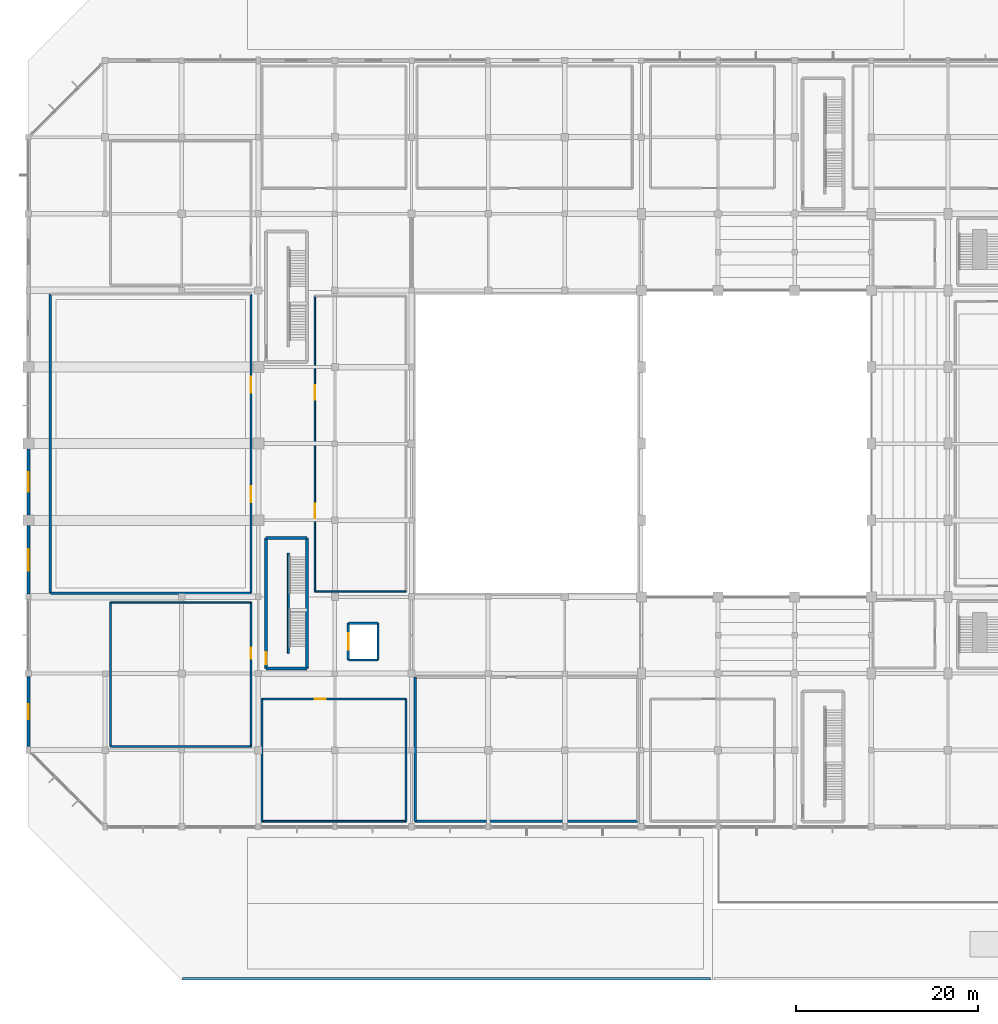
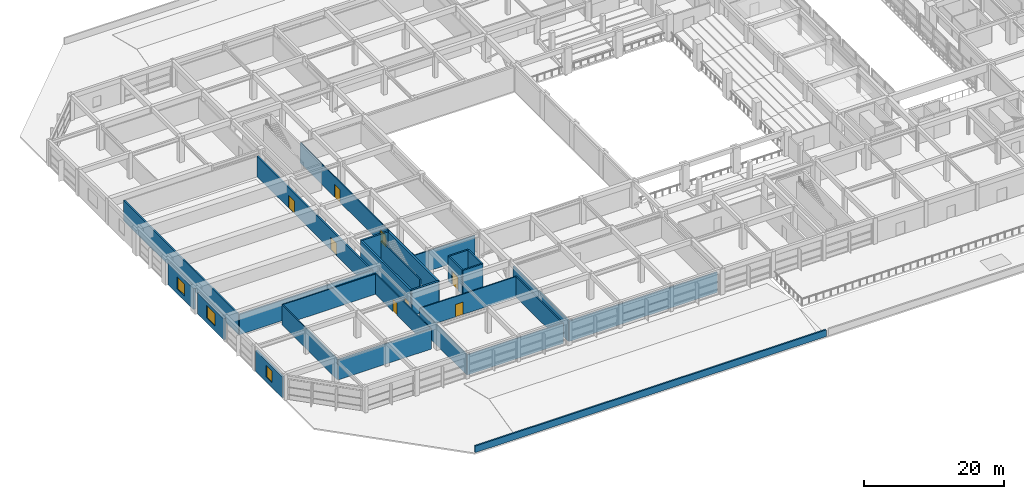
# One storey, part 43 of 60: 28 walls, 8 doors, 3 windows, 11 openings.
"""IFC4 building model written with IfcOpenShell, lengths in metres."""

from ifc_helpers import new_model, si_unit, direction, frame, frame_2d, origin, place, context, subcontext, project, spatial, rectangle, extrude, material, layer, layer_set, type_object, element, fill, save


model = new_model("IFC4")

# Units and contexts
model_context = context("Model", 3, precision=1e-05, world=origin(), true_north=direction((0.0, 1.0)))
body_context = subcontext(model_context, "Body", "Model", "MODEL_VIEW")
ifc_project = project(units=[si_unit("LENGTHUNIT", "METRE"), si_unit("AREAUNIT", "SQUARE_METRE"), si_unit("VOLUMEUNIT", "CUBIC_METRE"), si_unit("PLANEANGLEUNIT", "RADIAN"), si_unit("MASSUNIT", "GRAM", prefix="KILO")], contexts=[model_context])

# Site, building, storey
site_placement = place(None, origin())
site = spatial("IfcSite", under=ifc_project, at=site_placement, CompositionType="ELEMENT")
building_placement = place(site_placement, origin())
building = spatial("IfcBuilding", under=site, at=building_placement, Name="Xuanlan Plaza Opera House", CompositionType="ELEMENT")
storey_placement = place(building_placement, frame((0.0, 0.0, 9.89990234375)))
storey = spatial("IfcBuildingStorey", under=building, at=storey_placement, Name="L02", CompositionType="ELEMENT", Elevation=9.89990234375)

# Wall, opening, window
ifc_material_1 = material(Name="Anodised Aluminium 6063-T6 and Rockwool Cladding", Category="aluminium")
ifc_layer_1 = layer(ifc_material_1, 0.340087890625)
ifc_layer_set_1 = layer_set([ifc_layer_1], Name="Anodised Aluminium 6063-T6 and Rockwool Cladding")
wall_type_1 = type_object("IfcWallType", Name="ENV-WL-EW-02", PredefinedType="STANDARD", material=ifc_layer_set_1)
wall_1_placement = place(storey_placement, frame((0.0, 58.199951171875, 0.0), z_axis=(0.0, 0.0, 1.0), x_axis=(0.0, -1.0, 0.0)))
wall_1 = element("IfcWall", 1, at=wall_1_placement, inside=storey, type_object=wall_type_1, Name="Exterior Wall L02-052", PredefinedType="STANDARD", context=body_context, shape_type="SweptSolid", body=[
    extrude(rectangle(XDim=7.199951171875, YDim=0.340087890625, at=frame_2d((3.60009765625, 0.0))), origin(), (0.0, 0.0, 1.0), 3.68017578125),
])
opening_1_placement = place(wall_1_placement, frame((2.550048828125, 0.0, 0.85009765625)))
opening_1 = element("IfcOpeningElement", 2, at=opening_1_placement, cuts=wall_1, Name="Opening WN-02", PredefinedType="OPENING", context=body_context, shape_type="SweptSolid", body=[
    extrude(rectangle(XDim=2.10009765625, YDim=2.10009765625, at=frame_2d((1.050048828125, 1.050048828125))), frame((0.0, 0.179931640625, 0.0), z_axis=(0.0, -1.0, 0.0), x_axis=(1.0, 0.0, 0.0)), (0.0, 0.0, 1.0), 0.360107421875),
])
ifc_material_2 = material(Name="Anodised Aluminium 6063-T6 and Low-E Glass", Category="aluminium")
window_type_1 = type_object("IfcWindowType", Name="ENV-WN-WN-02", PartitioningType="DOUBLE_PANEL_VERTICAL", PredefinedType="WINDOW", material=ifc_material_2)
window_1_placement = place(opening_1_placement, origin())
window_1 = element("IfcWindow", 3, at=window_1_placement, inside=storey, type_object=window_type_1, Name="Facade Window L02-052", OverallHeight=2.10009765625, OverallWidth=2.10009765625, PartitioningType="DOUBLE_PANEL_VERTICAL", PredefinedType="WINDOW", context=body_context, shape_type="SweptSolid", body=[
    extrude(rectangle(XDim=2.10009765625, YDim=2.10009765625, at=frame_2d((1.050048828125, 1.050048828125))), frame((0.0, 0.030029296875, 0.0), z_axis=(0.0, -1.0, 0.0), x_axis=(1.0, 0.0, 0.0)), (0.0, 0.0, 1.0), 0.06005859375),
])
fill(opening_1, window_1)

ifc_layer_2 = layer(ifc_material_1, 0.320068359375)
ifc_layer_set_2 = layer_set([ifc_layer_2], Name="Anodised Aluminium 6063-T6 and Rockwool Cladding")
wall_type_2 = type_object("IfcWallType", Name="ENV-WL-EW-03", PredefinedType="STANDARD", material=ifc_layer_set_2)
wall_2_placement = place(storey_placement, frame((0.0, 49.800048828125, 0.0), z_axis=(0.0, 0.0, 1.0), x_axis=(0.0, -1.0, 0.0)))
wall_2 = element("IfcWall", 4, at=wall_2_placement, inside=storey, type_object=wall_type_2, Name="Exterior Wall L02-053", PredefinedType="STANDARD", context=body_context, shape_type="SweptSolid", body=[
    extrude(rectangle(XDim=7.5, YDim=0.320068359375, at=frame_2d((3.75, 0.0))), origin(), (0.0, 0.0, 1.0), 3.68017578125),
])
opening_2_placement = place(wall_2_placement, frame((2.550048828125, 0.0, 0.85009765625)))
opening_2 = element("IfcOpeningElement", 5, at=opening_2_placement, cuts=wall_2, Name="Opening WN-03", PredefinedType="OPENING", context=body_context, shape_type="SweptSolid", body=[
    extrude(rectangle(XDim=2.39990234375, YDim=2.199951171875, at=frame_2d((1.199951171875, 1.10009765625))), frame((0.0, 0.169921875, 0.0), z_axis=(0.0, -1.0, 0.0), x_axis=(1.0, 0.0, 0.0)), (0.0, 0.0, 1.0), 0.340087890625),
])
window_type_2 = type_object("IfcWindowType", Name="ENV-WN-WN-03", PartitioningType="TRIPLE_PANEL_VERTICAL", PredefinedType="WINDOW", material=ifc_material_2)
window_2_placement = place(opening_2_placement, origin())
window_2 = element("IfcWindow", 6, at=window_2_placement, inside=storey, type_object=window_type_2, Name="Facade Window L02-053", OverallHeight=2.199951171875, OverallWidth=2.39990234375, PartitioningType="TRIPLE_PANEL_VERTICAL", PredefinedType="WINDOW", context=body_context, shape_type="SweptSolid", body=[
    extrude(rectangle(XDim=2.39990234375, YDim=2.199951171875, at=frame_2d((1.199951171875, 1.10009765625))), frame((0.0, 0.030029296875, 0.0), z_axis=(0.0, -1.0, 0.0), x_axis=(1.0, 0.0, 0.0)), (0.0, 0.0, 1.0), 0.06005859375),
])
fill(opening_2, window_2)

ifc_layer_3 = layer(ifc_material_1, 0.2900390625)
ifc_layer_set_3 = layer_set([ifc_layer_3], Name="Anodised Aluminium 6063-T6 and Rockwool Cladding")
wall_type_3 = type_object("IfcWallType", Name="ENV-WL-EW-05", PredefinedType="STANDARD", material=ifc_layer_set_3)
wall_3_placement = place(storey_placement, frame((0.0, 33.25, 0.0), z_axis=(0.0, 0.0, 1.0), x_axis=(0.0, -1.0, 0.0)))
wall_3 = element("IfcWall", 7, at=wall_3_placement, inside=storey, type_object=wall_type_3, Name="Exterior Wall L02-055", PredefinedType="STANDARD", context=body_context, shape_type="SweptSolid", body=[
    extrude(rectangle(XDim=7.675048828125, YDim=0.2900390625, at=frame_2d((3.83740234375, 0.0))), origin(), (0.0, 0.0, 1.0), 3.68017578125),
])
opening_3_placement = place(wall_3_placement, frame((3.0380859375, 0.0, 0.85009765625)))
opening_3 = element("IfcOpeningElement", 8, at=opening_3_placement, cuts=wall_3, Name="Opening WN-05", PredefinedType="OPENING", context=body_context, shape_type="SweptSolid", body=[
    extrude(rectangle(XDim=1.60009765625, YDim=2.0, at=frame_2d((0.800048828125, 1.0))), frame((0.0, 0.155029296875, 0.0), z_axis=(0.0, -1.0, 0.0), x_axis=(1.0, 0.0, 0.0)), (0.0, 0.0, 1.0), 0.31005859375),
])
window_type_3 = type_object("IfcWindowType", Name="ENV-WN-WN-05", PartitioningType="DOUBLE_PANEL_VERTICAL", PredefinedType="WINDOW", material=ifc_material_2)
window_3_placement = place(opening_3_placement, origin())
window_3 = element("IfcWindow", 9, at=window_3_placement, inside=storey, type_object=window_type_3, Name="Facade Window L02-055", OverallHeight=2.0, OverallWidth=1.60009765625, PartitioningType="DOUBLE_PANEL_VERTICAL", PredefinedType="WINDOW", context=body_context, shape_type="SweptSolid", body=[
    extrude(rectangle(XDim=1.60009765625, YDim=2.0, at=frame_2d((0.800048828125, 1.0))), frame((0.0, 0.030029296875, 0.0), z_axis=(0.0, -1.0, 0.0), x_axis=(1.0, 0.0, 0.0)), (0.0, 0.0, 1.0), 0.06005859375),
])
fill(opening_3, window_3)

# Walls
ifc_material_3 = material(Name="Concrete C40", Category="concrete")
ifc_layer_4 = layer(ifc_material_3, 0.25)
ifc_layer_set_4 = layer_set([ifc_layer_4], Name="Concrete C40")
wall_type_4 = type_object("IfcWallType", Name="ENV-WL-PRP-01", PredefinedType="PARAPET", material=ifc_layer_set_4)
wall_4_placement = place(storey_placement, frame((16.89990234375, 0.14990234375, 0.0), z_axis=(0.0, 0.0, 1.0), x_axis=(1.0, 0.0, 0.0)))
element("IfcWall", 10, at=wall_4_placement, inside=storey, type_object=wall_type_4, Name="Plaza Arcade Roof Parapet Wall 01", PredefinedType="PARAPET", context=body_context, shape_type="SweptSolid", body=[
    extrude(rectangle(XDim=57.900146484375, YDim=0.25, at=frame_2d((28.9501953125, 0.0))), origin(), (0.0, 0.0, 1.0), 1.150146484375),
])
ifc_material_4 = material(Name="Gypsum Board and Galvanised Steel Studs", Category="gypsum")
ifc_layer_5 = layer(ifc_material_4, 0.239990234375)
ifc_layer_set_5 = layer_set([ifc_layer_5], Name="Gypsum Board and Galvanised Steel Studs")
wall_type_5 = type_object("IfcWallType", Name="INT-WL-PW-01", PredefinedType="PARTITIONING", material=ifc_layer_set_5)
wall_5_placement = place(storey_placement, frame((2.39990234375, 42.39990234375, 0.0), z_axis=(0.0, 0.0, 1.0), x_axis=(1.0, 0.0, 0.0)))
element("IfcWall", 11, at=wall_5_placement, inside=storey, type_object=wall_type_5, Name="Ballet Rehearsal Stage Wall South", PredefinedType="PARTITIONING", context=body_context, shape_type="SweptSolid", body=[
    extrude(rectangle(XDim=22.0, YDim=0.239990234375, at=frame_2d((11.0, 0.0))), origin(), (0.0, 0.0, 1.0), 3.5400390625),
])
wall_6_placement = place(storey_placement, frame((2.39990234375, 42.39990234375, 0.0), z_axis=(0.0, 0.0, 1.0), x_axis=(0.0, 1.0, 0.0)))
element("IfcWall", 12, at=wall_6_placement, inside=storey, type_object=wall_type_5, Name="Ballet Rehearsal Stage Wall West", PredefinedType="PARTITIONING", context=body_context, shape_type="SweptSolid", body=[
    extrude(rectangle(XDim=32.800048828125, YDim=0.239990234375, at=frame_2d((16.39990234375, 0.0))), origin(), (0.0, 0.0, 1.0), 3.5400390625),
])

# Wall, openings, doors
wall_7_placement = place(storey_placement, frame((24.39990234375, 42.39990234375, 0.0), z_axis=(0.0, 0.0, 1.0), x_axis=(0.0, 1.0, 0.0)))
wall_7 = element("IfcWall", 13, at=wall_7_placement, inside=storey, type_object=wall_type_5, Name="Ballet Rehearsal Stage Wall East", PredefinedType="PARTITIONING", context=body_context, shape_type="SweptSolid", body=[
    extrude(rectangle(XDim=32.800048828125, YDim=0.239990234375, at=frame_2d((16.39990234375, 0.0))), origin(), (0.0, 0.0, 1.0), 3.5400390625),
])
opening_4_placement = place(wall_7_placement, frame((10.0, 0.0, 0.0)))
opening_4 = element("IfcOpeningElement", 14, at=opening_4_placement, cuts=wall_7, Name="Opening FD-03", PredefinedType="OPENING", context=body_context, shape_type="SweptSolid", body=[
    extrude(rectangle(XDim=1.75, YDim=2.199951171875, at=frame_2d((0.875, 1.10009765625))), frame((0.0, 0.1298828125, 0.0), z_axis=(0.0, -1.0, 0.0), x_axis=(1.0, 0.0, 0.0)), (0.0, 0.0, 1.0), 0.260009765625),
])
opening_5_placement = place(wall_7_placement, frame((22.0, 0.0, 0.0)))
opening_5 = element("IfcOpeningElement", 15, at=opening_5_placement, cuts=wall_7, Name="Opening FD-03", PredefinedType="OPENING", context=body_context, shape_type="SweptSolid", body=[
    extrude(rectangle(XDim=1.75, YDim=2.199951171875, at=frame_2d((0.875, 1.10009765625))), frame((0.0, 0.1298828125, 0.0), z_axis=(0.0, -1.0, 0.0), x_axis=(1.0, 0.0, 0.0)), (0.0, 0.0, 1.0), 0.260009765625),
])
ifc_material_5 = material(Name="Galvanised Steel Q235B", Category="steel")
door_type_1 = type_object("IfcDoorType", Name="INT-DR-FD-03", OperationType="DOUBLE_DOOR_SINGLE_SWING", PredefinedType="DOOR", material=ifc_material_5)
door_1_placement = place(opening_4_placement, origin())
door_1 = element("IfcDoor", 16, at=door_1_placement, inside=storey, type_object=door_type_1, Name="Ballet Rehearsal Stage Door 1", OperationType="DOUBLE_DOOR_SINGLE_SWING", OverallHeight=2.199951171875, OverallWidth=1.75, PredefinedType="DOOR", context=body_context, shape_type="SweptSolid", body=[
    extrude(rectangle(XDim=1.75, YDim=2.199951171875, at=frame_2d((0.875, 1.10009765625))), frame((0.0, 0.02490234375, 0.0), z_axis=(0.0, -1.0, 0.0), x_axis=(1.0, 0.0, 0.0)), (0.0, 0.0, 1.0), 0.050048828125),
])
fill(opening_4, door_1)
door_2_placement = place(opening_5_placement, origin())
door_2 = element("IfcDoor", 17, at=door_2_placement, inside=storey, type_object=door_type_1, Name="Ballet Rehearsal Stage Door 2", OperationType="DOUBLE_DOOR_SINGLE_SWING", OverallHeight=2.199951171875, OverallWidth=1.75, PredefinedType="DOOR", context=body_context, shape_type="SweptSolid", body=[
    extrude(rectangle(XDim=1.75, YDim=2.199951171875, at=frame_2d((0.875, 1.10009765625))), frame((0.0, 0.02490234375, 0.0), z_axis=(0.0, -1.0, 0.0), x_axis=(1.0, 0.0, 0.0)), (0.0, 0.0, 1.0), 0.050048828125),
])
fill(opening_5, door_2)

# Walls
wall_8_placement = place(storey_placement, frame((42.39990234375, 17.39990234375, 0.0), z_axis=(0.0, 0.0, 1.0), x_axis=(1.0, 0.0, 0.0)))
element("IfcWall", 18, at=wall_8_placement, inside=storey, type_object=wall_type_5, Name="Broadcast and Acoustic Recording Studio Wall South", PredefinedType="PARTITIONING", context=body_context, shape_type="SweptSolid", body=[
    extrude(rectangle(XDim=24.400146484375, YDim=0.239990234375, at=frame_2d((12.2001953125, 0.0))), origin(), (0.0, 0.0, 1.0), 3.5400390625),
])
wall_9_placement = place(storey_placement, frame((42.39990234375, 17.39990234375, 0.0), z_axis=(0.0, 0.0, 1.0), x_axis=(0.0, 1.0, 0.0)))
element("IfcWall", 19, at=wall_9_placement, inside=storey, type_object=wall_type_5, Name="Broadcast and Acoustic Recording Studio Wall West", PredefinedType="PARTITIONING", context=body_context, shape_type="SweptSolid", body=[
    extrude(rectangle(XDim=15.800048828125, YDim=0.239990234375, at=frame_2d((7.89990234375, 0.0))), origin(), (0.0, 0.0, 1.0), 3.5400390625),
])
ifc_layer_6 = layer(ifc_material_4, 0.179931640625)
ifc_layer_set_6 = layer_set([ifc_layer_6], Name="Gypsum Board and Galvanised Steel Studs")
wall_type_6 = type_object("IfcWallType", Name="INT-WL-PW-02", PredefinedType="PARTITIONING", material=ifc_layer_set_6)
for number, where, z_axis, x_axis, name in (
    (20, (9.0, 25.60009765625, 0.0), (0.0, 0.0, 1.0), (1.0, 0.0, 0.0), "Ballet Wardrobe Workshop Wall South"),
    (21, (9.0, 41.39990234375, 0.0), (0.0, 0.0, 1.0), (1.0, 0.0, 0.0), "Ballet Wardrobe Workshop Wall North"),
):
    element("IfcWall", number, at=place(storey_placement, frame(where, z_axis=z_axis, x_axis=x_axis)), inside=storey, type_object=wall_type_6, Name=name, PredefinedType="PARTITIONING", context=body_context, shape_type="SweptSolid", body=[
        extrude(rectangle(XDim=15.39990234375, YDim=0.179931640625, at=frame_2d((7.699951171875, 0.0))), origin(), (0.0, 0.0, 1.0), 3.5400390625),
    ])
wall_10_placement = place(storey_placement, frame((9.0, 25.60009765625, 0.0), z_axis=(0.0, 0.0, 1.0), x_axis=(0.0, 1.0, 0.0)))
element("IfcWall", 22, at=wall_10_placement, inside=storey, type_object=wall_type_6, Name="Ballet Wardrobe Workshop Wall West", PredefinedType="PARTITIONING", context=body_context, shape_type="SweptSolid", body=[
    extrude(rectangle(XDim=15.7998046875, YDim=0.179931640625, at=frame_2d((7.89990234375, 0.0))), origin(), (0.0, 0.0, 1.0), 3.5400390625),
])

# Wall, opening, door
wall_11_placement = place(storey_placement, frame((24.39990234375, 25.60009765625, 0.0), z_axis=(0.0, 0.0, 1.0), x_axis=(0.0, 1.0, 0.0)))
wall_11 = element("IfcWall", 23, at=wall_11_placement, inside=storey, type_object=wall_type_6, Name="Ballet Wardrobe Workshop Wall East", PredefinedType="PARTITIONING", context=body_context, shape_type="SweptSolid", body=[
    extrude(rectangle(XDim=15.7998046875, YDim=0.179931640625, at=frame_2d((7.89990234375, 0.0))), origin(), (0.0, 0.0, 1.0), 3.5400390625),
])
opening_6_placement = place(wall_11_placement, frame((9.60009765625, 0.0, 0.0)))
opening_6 = element("IfcOpeningElement", 24, at=opening_6_placement, cuts=wall_11, Name="Opening D-05", PredefinedType="OPENING", context=body_context, shape_type="SweptSolid", body=[
    extrude(rectangle(XDim=1.219970703125, YDim=2.14990234375, at=frame_2d((0.60986328125, 1.074951171875))), frame((0.0, 0.099853515625, 0.0), z_axis=(0.0, -1.0, 0.0), x_axis=(1.0, 0.0, 0.0)), (0.0, 0.0, 1.0), 0.199951171875),
])
ifc_material_6 = material(Name="Walnut Hardwood Timber", Category="wood")
door_type_2 = type_object("IfcDoorType", Name="INT-DR-D-05", OperationType="NOTDEFINED", PredefinedType="DOOR", material=ifc_material_6)
door_3_placement = place(opening_6_placement, origin())
door_3 = element("IfcDoor", 25, at=door_3_placement, inside=storey, type_object=door_type_2, Name="Ballet Wardrobe Workshop Door 1", OperationType="SINGLE_SWING_LEFT", OverallHeight=2.14990234375, OverallWidth=1.219970703125, PredefinedType="DOOR", context=body_context, shape_type="SweptSolid", body=[
    extrude(rectangle(XDim=1.219970703125, YDim=2.14990234375, at=frame_2d((0.60986328125, 1.074951171875))), frame((0.0, 0.02490234375, 0.0), z_axis=(0.0, -1.0, 0.0), x_axis=(1.0, 0.0, 0.0)), (0.0, 0.0, 1.0), 0.050048828125),
])
fill(opening_6, door_3)

# Wall
wall_12_placement = place(storey_placement, frame((25.60009765625, 17.39990234375, 0.0), z_axis=(0.0, 0.0, 1.0), x_axis=(1.0, 0.0, 0.0)))
element("IfcWall", 26, at=wall_12_placement, inside=storey, type_object=wall_type_6, Name="Percussion Maintenance Studio Wall South", PredefinedType="PARTITIONING", context=body_context, shape_type="SweptSolid", body=[
    extrude(rectangle(XDim=15.7998046875, YDim=0.179931640625, at=frame_2d((7.89990234375, 0.0))), origin(), (0.0, 0.0, 1.0), 3.5400390625),
])

# Wall, opening, door
wall_13_placement = place(storey_placement, frame((25.60009765625, 30.800048828125, 0.0), z_axis=(0.0, 0.0, 1.0), x_axis=(1.0, 0.0, 0.0)))
wall_13 = element("IfcWall", 27, at=wall_13_placement, inside=storey, type_object=wall_type_6, Name="Percussion Maintenance Studio Wall North", PredefinedType="PARTITIONING", context=body_context, shape_type="SweptSolid", body=[
    extrude(rectangle(XDim=15.7998046875, YDim=0.179931640625, at=frame_2d((7.89990234375, 0.0))), origin(), (0.0, 0.0, 1.0), 3.5400390625),
])
opening_7_placement = place(wall_13_placement, frame((5.800048828125, 0.0, 0.0)))
opening_7 = element("IfcOpeningElement", 28, at=opening_7_placement, cuts=wall_13, Name="Opening D-05", PredefinedType="OPENING", context=body_context, shape_type="SweptSolid", body=[
    extrude(rectangle(XDim=1.219970703125, YDim=2.14990234375, at=frame_2d((0.60986328125, 1.074951171875))), frame((0.0, 0.099853515625, 0.0), z_axis=(0.0, -1.0, 0.0), x_axis=(1.0, 0.0, 0.0)), (0.0, 0.0, 1.0), 0.199951171875),
])
door_4_placement = place(opening_7_placement, origin())
door_4 = element("IfcDoor", 29, at=door_4_placement, inside=storey, type_object=door_type_2, Name="Percussion Maintenance Studio Door 1", OperationType="SINGLE_SWING_RIGHT", OverallHeight=2.14990234375, OverallWidth=1.219970703125, PredefinedType="DOOR", context=body_context, shape_type="SweptSolid", body=[
    extrude(rectangle(XDim=1.219970703125, YDim=2.14990234375, at=frame_2d((0.60986328125, 1.074951171875))), frame((0.0, 0.02490234375, 0.0), z_axis=(0.0, -1.0, 0.0), x_axis=(1.0, 0.0, 0.0)), (0.0, 0.0, 1.0), 0.050048828125),
])
fill(opening_7, door_4)

# Walls
for number, where, z_axis, x_axis, name in (
    (30, (25.60009765625, 17.39990234375, 0.0), (0.0, 0.0, 1.0), (0.0, 1.0, 0.0), "Percussion Maintenance Studio Wall West"),
    (31, (41.39990234375, 17.39990234375, 0.0), (0.0, 0.0, 1.0), (0.0, 1.0, 0.0), "Percussion Maintenance Studio Wall East"),
):
    element("IfcWall", number, at=place(storey_placement, frame(where, z_axis=z_axis, x_axis=x_axis)), inside=storey, type_object=wall_type_6, Name=name, PredefinedType="PARTITIONING", context=body_context, shape_type="SweptSolid", body=[
        extrude(rectangle(XDim=13.400146484375, YDim=0.179931640625, at=frame_2d((6.7001953125, 0.0))), origin(), (0.0, 0.0, 1.0), 3.5400390625),
    ])
ifc_layer_7 = layer(ifc_material_4, 0.159912109375)
ifc_layer_set_7 = layer_set([ifc_layer_7], Name="Gypsum Board and Galvanised Steel Studs")
wall_type_7 = type_object("IfcWallType", Name="INT-WL-PW-05", PredefinedType="PARTITIONING", material=ifc_layer_set_7)
wall_14_placement = place(storey_placement, frame((31.39990234375, 42.60009765625, 0.0), z_axis=(0.0, 0.0, 1.0), x_axis=(1.0, 0.0, 0.0)))
element("IfcWall", 32, at=wall_14_placement, inside=storey, type_object=wall_type_7, Name="Stage Scenery Cloth Store Wall South", PredefinedType="PARTITIONING", context=body_context, shape_type="SweptSolid", body=[
    extrude(rectangle(XDim=10.0, YDim=0.159912109375, at=frame_2d((5.0, 0.0))), origin(), (0.0, 0.0, 1.0), 3.5400390625),
])

# Wall, openings, doors
wall_15_placement = place(storey_placement, frame((31.39990234375, 42.60009765625, 0.0), z_axis=(0.0, 0.0, 1.0), x_axis=(0.0, 1.0, 0.0)))
wall_15 = element("IfcWall", 33, at=wall_15_placement, inside=storey, type_object=wall_type_7, Name="Stage Scenery Cloth Store Wall West", PredefinedType="PARTITIONING", context=body_context, shape_type="SweptSolid", body=[
    extrude(rectangle(XDim=32.39990234375, YDim=0.159912109375, at=frame_2d((16.199951171875, 0.0))), origin(), (0.0, 0.0, 1.0), 3.5400390625),
])
opening_8_placement = place(wall_15_placement, frame((8.0, 0.0, 0.0)))
opening_8 = element("IfcOpeningElement", 34, at=opening_8_placement, cuts=wall_15, Name="Opening D-08", PredefinedType="OPENING", context=body_context, shape_type="SweptSolid", body=[
    extrude(rectangle(XDim=1.6201171875, YDim=2.219970703125, at=frame_2d((0.81005859375, 1.10986328125))), frame((0.0, 0.08984375, 0.0), z_axis=(0.0, -1.0, 0.0), x_axis=(1.0, 0.0, 0.0)), (0.0, 0.0, 1.0), 0.179931640625),
])
opening_9_placement = place(wall_15_placement, frame((21.0, 0.0, 0.0)))
opening_9 = element("IfcOpeningElement", 35, at=opening_9_placement, cuts=wall_15, Name="Opening D-08", PredefinedType="OPENING", context=body_context, shape_type="SweptSolid", body=[
    extrude(rectangle(XDim=1.6201171875, YDim=2.219970703125, at=frame_2d((0.81005859375, 1.10986328125))), frame((0.0, 0.08984375, 0.0), z_axis=(0.0, -1.0, 0.0), x_axis=(1.0, 0.0, 0.0)), (0.0, 0.0, 1.0), 0.179931640625),
])
door_type_3 = type_object("IfcDoorType", Name="INT-DR-D-08", OperationType="DOUBLE_DOOR_SINGLE_SWING", PredefinedType="DOOR", material=ifc_material_6)
door_5_placement = place(opening_8_placement, origin())
door_5 = element("IfcDoor", 36, at=door_5_placement, inside=storey, type_object=door_type_3, Name="Stage Scenery Cloth Store Door 1", OperationType="DOUBLE_DOOR_SINGLE_SWING", OverallHeight=2.219970703125, OverallWidth=1.6201171875, PredefinedType="DOOR", context=body_context, shape_type="SweptSolid", body=[
    extrude(rectangle(XDim=1.6201171875, YDim=2.219970703125, at=frame_2d((0.81005859375, 1.10986328125))), frame((0.0, 0.02490234375, 0.0), z_axis=(0.0, -1.0, 0.0), x_axis=(1.0, 0.0, 0.0)), (0.0, 0.0, 1.0), 0.050048828125),
])
fill(opening_8, door_5)
door_6_placement = place(opening_9_placement, origin())
door_6 = element("IfcDoor", 37, at=door_6_placement, inside=storey, type_object=door_type_3, Name="Stage Scenery Cloth Store Door 2", OperationType="DOUBLE_DOOR_SINGLE_SWING", OverallHeight=2.219970703125, OverallWidth=1.6201171875, PredefinedType="DOOR", context=body_context, shape_type="SweptSolid", body=[
    extrude(rectangle(XDim=1.6201171875, YDim=2.219970703125, at=frame_2d((0.81005859375, 1.10986328125))), frame((0.0, 0.02490234375, 0.0), z_axis=(0.0, -1.0, 0.0), x_axis=(1.0, 0.0, 0.0)), (0.0, 0.0, 1.0), 0.050048828125),
])
fill(opening_9, door_6)

# Walls
ifc_layer_8 = layer(ifc_material_3, 0.25)
ifc_layer_set_8 = layer_set([ifc_layer_8], Name="Concrete C40")
wall_type_8 = type_object("IfcWallType", Name="INT-WL-SW-LF1", PredefinedType="SHEAR", material=ifc_layer_set_8)
for number, where, z_axis, x_axis, name in (
    (38, (35.074951171875, 35.074951171875, 0.0), (0.0, 0.0, 1.0), (1.0, 0.0, 0.0), "Lift Shaft Wall LF-SC1 L02 South"),
    (39, (35.074951171875, 39.125, 0.0), (0.0, 0.0, 1.0), (1.0, 0.0, 0.0), "Lift Shaft Wall LF-SC1 L02 North"),
):
    element("IfcWall", number, at=place(storey_placement, frame(where, z_axis=z_axis, x_axis=x_axis)), inside=storey, type_object=wall_type_8, Name=name, PredefinedType="SHEAR", context=body_context, shape_type="SweptSolid", body=[
        extrude(rectangle(XDim=3.25, YDim=0.25, at=frame_2d((1.625, 0.0))), origin(), (0.0, 0.0, 1.0), 4.239990234375),
    ])

# Wall, opening, door
wall_16_placement = place(storey_placement, frame((35.074951171875, 35.074951171875, 0.0), z_axis=(0.0, 0.0, 1.0), x_axis=(0.0, 1.0, 0.0)))
wall_16 = element("IfcWall", 40, at=wall_16_placement, inside=storey, type_object=wall_type_8, Name="Lift Shaft Wall LF-SC1 L02 West", PredefinedType="SHEAR", context=body_context, shape_type="SweptSolid", body=[
    extrude(rectangle(XDim=4.050048828125, YDim=0.25, at=frame_2d((2.02490234375, 0.0))), origin(), (0.0, 0.0, 1.0), 4.239990234375),
])
opening_10_placement = place(wall_16_placement, frame((1.125, 0.0, 0.0)))
opening_10 = element("IfcOpeningElement", 41, at=opening_10_placement, cuts=wall_16, Name="Opening LD-SC1-L02", PredefinedType="OPENING", context=body_context, shape_type="SweptSolid", body=[
    extrude(rectangle(XDim=1.800048828125, YDim=2.300048828125, at=frame_2d((0.89990234375, 1.14990234375))), frame((0.0, 0.135009765625, 0.0), z_axis=(0.0, -1.0, 0.0), x_axis=(1.0, 0.0, 0.0)), (0.0, 0.0, 1.0), 0.27001953125),
])
ifc_material_7 = material(Name="Stainless Steel S30408", Category="steel")
door_type_4 = type_object("IfcDoorType", Name="INT-DR-LD-03", OperationType="DOUBLE_DOOR_SLIDING", PredefinedType="DOOR", material=ifc_material_7)
door_7_placement = place(opening_10_placement, origin())
door_7 = element("IfcDoor", 42, at=door_7_placement, inside=storey, type_object=door_type_4, Name="Lift Sliding Landing Door LF-SC1 L02", OperationType="DOUBLE_DOOR_SLIDING", OverallHeight=2.300048828125, OverallWidth=1.800048828125, PredefinedType="DOOR", context=body_context, shape_type="SweptSolid", body=[
    extrude(rectangle(XDim=1.800048828125, YDim=2.300048828125, at=frame_2d((0.89990234375, 1.14990234375))), frame((0.0, 0.02490234375, 0.0), z_axis=(0.0, -1.0, 0.0), x_axis=(1.0, 0.0, 0.0)), (0.0, 0.0, 1.0), 0.050048828125),
])
fill(opening_10, door_7)

# Walls
wall_17_placement = place(storey_placement, frame((38.324951171875, 35.074951171875, 0.0), z_axis=(0.0, 0.0, 1.0), x_axis=(0.0, 1.0, 0.0)))
element("IfcWall", 43, at=wall_17_placement, inside=storey, type_object=wall_type_8, Name="Lift Shaft Wall LF-SC1 L02 East", PredefinedType="SHEAR", context=body_context, shape_type="SweptSolid", body=[
    extrude(rectangle(XDim=4.050048828125, YDim=0.25, at=frame_2d((2.02490234375, 0.0))), origin(), (0.0, 0.0, 1.0), 4.239990234375),
])
ifc_layer_9 = layer(ifc_material_3, 0.199951171875)
ifc_layer_set_9 = layer_set([ifc_layer_9], Name="Concrete C40")
wall_type_9 = type_object("IfcWallType", Name="INT-WL-SW-SPN", PredefinedType="SHEAR", material=ifc_layer_set_9)
wall_18_placement = place(storey_placement, frame((28.5, 35.800048828125, 0.0), z_axis=(0.0, 0.0, 1.0), x_axis=(0.0, 1.0, 0.0)))
element("IfcWall", 44, at=wall_18_placement, inside=storey, type_object=wall_type_9, Name="Stair Structural Spine Wall ST-P1 L02", PredefinedType="SHEAR", context=body_context, shape_type="SweptSolid", body=[
    extrude(rectangle(XDim=11.0, YDim=0.199951171875, at=frame_2d((5.5, 0.0))), origin(), (0.0, 0.0, 1.0), 4.5),
])
ifc_layer_10 = layer(ifc_material_3, 0.300048828125)
ifc_layer_set_10 = layer_set([ifc_layer_10], Name="Concrete C40")
wall_type_10 = type_object("IfcWallType", Name="INT-WL-SW-ST1", PredefinedType="SHEAR", material=ifc_layer_set_10)
for number, where, z_axis, x_axis, name in (
    (45, (26.050048828125, 34.14990234375, 0.0), (0.0, 0.0, 1.0), (1.0, 0.0, 0.0), "Stair Core Wall ST-P1 L02 South"),
    (46, (26.050048828125, 48.449951171875, 0.0), (0.0, 0.0, 1.0), (1.0, 0.0, 0.0), "Stair Core Wall ST-P1 L02 North"),
):
    element("IfcWall", number, at=place(storey_placement, frame(where, z_axis=z_axis, x_axis=x_axis)), inside=storey, type_object=wall_type_10, Name=name, PredefinedType="SHEAR", context=body_context, shape_type="SweptSolid", body=[
        extrude(rectangle(XDim=4.5, YDim=0.300048828125, at=frame_2d((2.25, 0.0))), origin(), (0.0, 0.0, 1.0), 4.5),
    ])

# Wall, opening, door
wall_19_placement = place(storey_placement, frame((26.050048828125, 34.14990234375, 0.0), z_axis=(0.0, 0.0, 1.0), x_axis=(0.0, 1.0, 0.0)))
wall_19 = element("IfcWall", 47, at=wall_19_placement, inside=storey, type_object=wall_type_10, Name="Stair Core Wall ST-P1 L02 West", PredefinedType="SHEAR", context=body_context, shape_type="SweptSolid", body=[
    extrude(rectangle(XDim=14.300048828125, YDim=0.300048828125, at=frame_2d((7.14990234375, 0.0))), origin(), (0.0, 0.0, 1.0), 4.5),
])
opening_11_placement = place(wall_19_placement, frame((0.449951171875, 0.0, 0.0)))
opening_11 = element("IfcOpeningElement", 48, at=opening_11_placement, cuts=wall_19, Name="Opening FD-ST2", PredefinedType="OPENING", context=body_context, shape_type="SweptSolid", body=[
    extrude(rectangle(XDim=1.35009765625, YDim=2.14990234375, at=frame_2d((0.675048828125, 1.074951171875))), frame((0.0, 0.159912109375, 0.0), z_axis=(0.0, -1.0, 0.0), x_axis=(1.0, 0.0, 0.0)), (0.0, 0.0, 1.0), 0.320068359375),
])
door_type_5 = type_object("IfcDoorType", Name="INT-DR-FD-ST2", OperationType="NOTDEFINED", PredefinedType="DOOR", material=ifc_material_5)
door_8_placement = place(opening_11_placement, frame((1.35009765625, 0.0, 0.0), z_axis=(0.0, 0.0, 1.0), x_axis=(-1.0, 0.0, 0.0)))
door_8 = element("IfcDoor", 49, at=door_8_placement, inside=storey, type_object=door_type_5, Name="Stair Enclosure Fire Door ST-P1 L02", OperationType="SINGLE_SWING_LEFT", OverallHeight=2.14990234375, OverallWidth=1.35009765625, PredefinedType="DOOR", context=body_context, shape_type="SweptSolid", body=[
    extrude(rectangle(XDim=1.35009765625, YDim=2.14990234375, at=frame_2d((0.675048828125, 1.074951171875))), frame((0.0, 0.02490234375, 0.0), z_axis=(0.0, -1.0, 0.0), x_axis=(1.0, 0.0, 0.0)), (0.0, 0.0, 1.0), 0.050048828125),
])
fill(opening_11, door_8)

# Wall
wall_20_placement = place(storey_placement, frame((30.550048828125, 34.14990234375, 0.0), z_axis=(0.0, 0.0, 1.0), x_axis=(0.0, 1.0, 0.0)))
element("IfcWall", 50, at=wall_20_placement, inside=storey, type_object=wall_type_10, Name="Stair Core Wall ST-P1 L02 East", PredefinedType="SHEAR", context=body_context, shape_type="SweptSolid", body=[
    extrude(rectangle(XDim=14.300048828125, YDim=0.300048828125, at=frame_2d((7.14990234375, 0.0))), origin(), (0.0, 0.0, 1.0), 4.5),
])

save(model, "model.ifc")
